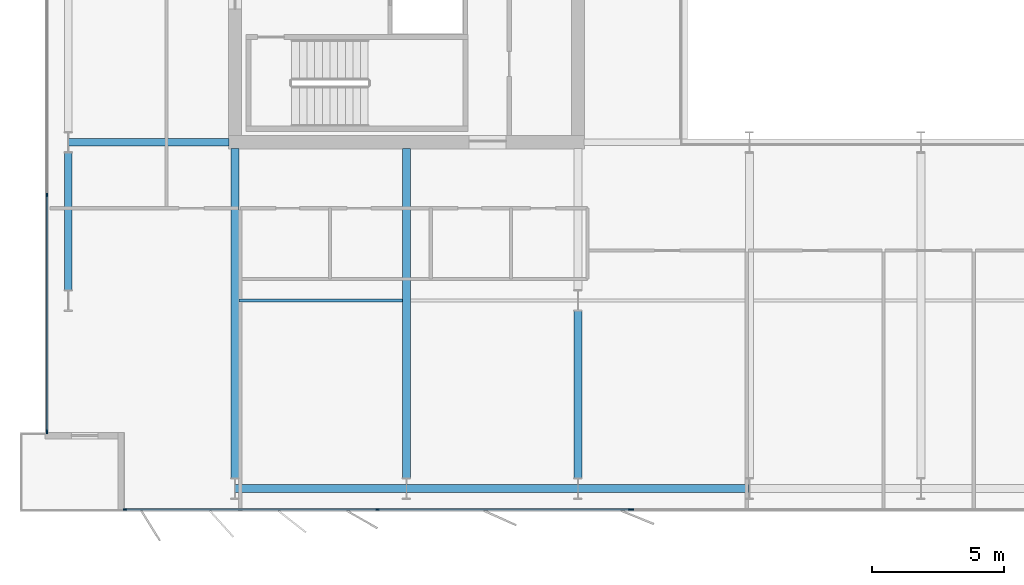
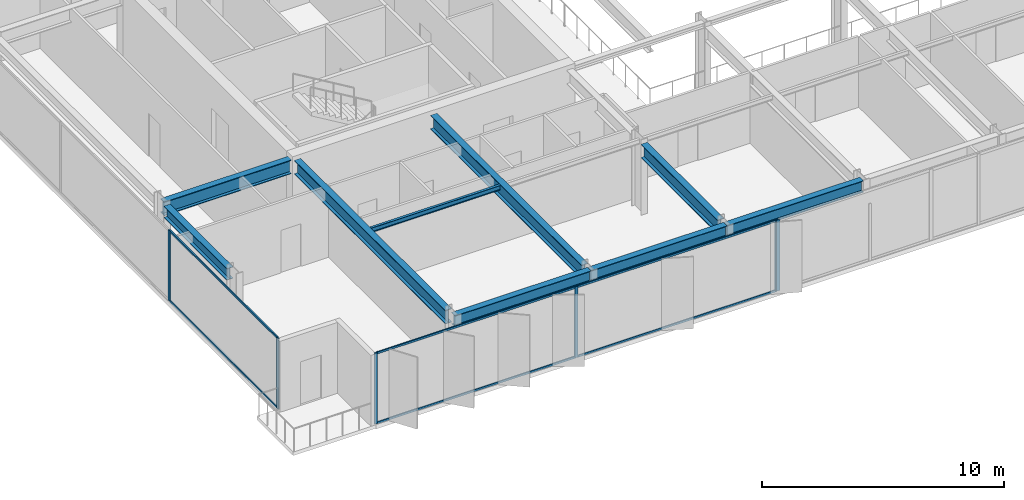
# One storey, part 3 of 24: 12 members, 9 beams, 3 elements without a shape of their own.
"""IFC4 building model written with IfcOpenShell, lengths in metres."""

from ifc_helpers import new_model, si_unit, direction, frame, origin, origin_2d, place, context, subcontext, project, spatial, rectangle, i_section, extrude, material, layer, layer_set, material_profile, profile_set, type_object, element, aggregate, save


model = new_model("IFC4")

# Units and contexts
model_context = context("Model", 3, precision=1e-05, world=origin(), true_north=direction((0.0, 1.0)))
body_context = subcontext(model_context, "Body", "Model", "MODEL_VIEW")
ifc_project = project(units=[si_unit("LENGTHUNIT", "METRE"), si_unit("AREAUNIT", "SQUARE_METRE"), si_unit("VOLUMEUNIT", "CUBIC_METRE"), si_unit("PLANEANGLEUNIT", "RADIAN"), si_unit("MASSUNIT", "GRAM", prefix="KILO")], contexts=[model_context])

# Site, building, storey
site_placement = place(None, origin())
site = spatial("IfcSite", under=ifc_project, at=site_placement, CompositionType="ELEMENT")
building_placement = place(site_placement, origin())
building = spatial("IfcBuilding", under=site, at=building_placement, Name="Putna Gate Headquarters", CompositionType="ELEMENT")
storey_placement = place(building_placement, frame((0.0, 0.0, 236.60009765625)))
storey = spatial("IfcBuildingStorey", under=building, at=storey_placement, Name="L59", CompositionType="ELEMENT", Elevation=236.60009765625)

# Beams
ifc_material_1 = material(Name="Steel S355J2", Category="steel")
ifc_material_profile_1 = material_profile(ifc_material_1, i_section(OverallWidth=0.300048828125, OverallDepth=0.699951171875, WebThickness=0.01708984375, FlangeThickness=0.031982421875, at=origin_2d()), Name="Steel S355J2")
ifc_profile_set_1 = profile_set([ifc_material_profile_1], Name="Steel S355J2")
beam_type_1 = type_object("IfcBeamType", Name="BM-GIRD-B-HEB700", PredefinedType="USERDEFINED", material=ifc_profile_set_1)
beam_1_placement = place(storey_placement, frame((6.68603515625, 19.0, 3.22998046875), z_axis=(1.0, 0.0, 0.0), x_axis=(0.0, 1.0, 0.0)))
element("IfcBeam", 1, at=beam_1_placement, inside=storey, type_object=beam_type_1, Name="L59 West Wing Girder Y19", ObjectType="GIRDER", PredefinedType="USERDEFINED", context=body_context, shape_type="SweptSolid", body=[
    extrude(i_section(OverallWidth=0.300048828125, OverallDepth=0.699951171875, WebThickness=0.01708984375, FlangeThickness=0.031982421875, at=origin_2d()), origin(), (0.0, 0.0, 1.0), 6.078857421875),
])
for number, where, z_axis, x_axis, name in (
    (2, (13.0, 6.27490234375, 3.22998046875), (0.0, 1.0, 0.0), (-1.0, 0.0, 0.0), "L59 South Primary Girder X13"),
    (3, (19.5, 6.27490234375, 3.22998046875), (0.0, 1.0, 0.0), (-1.0, 0.0, 0.0), "L59 South Primary Girder X19"),
):
    element("IfcBeam", number, at=place(storey_placement, frame(where, z_axis=z_axis, x_axis=x_axis)), inside=storey, type_object=beam_type_1, Name=name, ObjectType="GIRDER", PredefinedType="USERDEFINED", context=body_context, shape_type="SweptSolid", body=[
        extrude(i_section(OverallWidth=0.300048828125, OverallDepth=0.699951171875, WebThickness=0.01708984375, FlangeThickness=0.031982421875, at=origin_2d()), origin(), (0.0, 0.0, 1.0), 12.489990234375),
    ])
beam_2_placement = place(storey_placement, frame((26.0, 6.27490234375, 3.22998046875), z_axis=(0.0, 1.0, 0.0), x_axis=(-1.0, 0.0, 0.0)))
element("IfcBeam", 4, at=beam_2_placement, inside=storey, type_object=beam_type_1, Name="L59 South Primary Girder X26-1", ObjectType="GIRDER", PredefinedType="USERDEFINED", context=body_context, shape_type="SweptSolid", body=[
    extrude(i_section(OverallWidth=0.300048828125, OverallDepth=0.699951171875, WebThickness=0.01708984375, FlangeThickness=0.031982421875, at=origin_2d()), origin(), (0.0, 0.0, 1.0), 6.330078125),
])
ifc_material_profile_2 = material_profile(ifc_material_1, i_section(OverallWidth=0.1201171875, OverallDepth=0.239990234375, WebThickness=0.006103515625, FlangeThickness=0.009765625, at=origin_2d()), Name="Steel S355J2")
ifc_profile_set_2 = profile_set([ifc_material_profile_2], Name="Steel S355J2")
beam_type_2 = type_object("IfcBeamType", Name="BM-SEC-Z4-IPE240", PredefinedType="JOIST", material=ifc_profile_set_2)
beam_3_placement = place(storey_placement, frame((13.154052734375, 13.0, 3.4599609375), z_axis=(1.0, 0.0, 0.0), x_axis=(0.0, 1.0, 0.0)))
element("IfcBeam", 5, at=beam_3_placement, inside=storey, type_object=beam_type_2, Name="L59 South Secondary Beam 1", PredefinedType="JOIST", context=body_context, shape_type="SweptSolid", body=[
    extrude(i_section(OverallWidth=0.1201171875, OverallDepth=0.239990234375, WebThickness=0.006103515625, FlangeThickness=0.009765625, at=origin_2d()), origin(), (0.0, 0.0, 1.0), 6.19189453125),
])
ifc_material_profile_3 = material_profile(ifc_material_1, i_section(OverallWidth=0.300048828125, OverallDepth=0.590087890625, WebThickness=0.012939453125, FlangeThickness=0.02490234375, at=origin_2d()), Name="Steel S355J2")
ifc_profile_set_3 = profile_set([ifc_material_profile_3], Name="Steel S355J2")
beam_type_3 = type_object("IfcBeamType", Name="BM-SPAN-Z4-HEA600", PredefinedType="SPANDREL", material=ifc_profile_set_3)
for number, where, z_axis, x_axis, name in (
    (6, (13.006103515625, 5.8798828125, 3.284912109375), (1.0, 0.0, 0.0), (0.0, 1.0, 0.0), "L59 S Perimeter Spandrel 1"),
    (7, (19.506103515625, 5.8798828125, 3.284912109375), (1.0, 0.0, 0.0), (0.0, 1.0, 0.0), "L59 S Perimeter Spandrel 2"),
    (8, (26.006103515625, 5.8798828125, 3.284912109375), (1.0, 0.0, 0.0), (0.0, 1.0, 0.0), "L59 S Perimeter Spandrel 3"),
):
    element("IfcBeam", number, at=place(storey_placement, frame(where, z_axis=z_axis, x_axis=x_axis)), inside=storey, type_object=beam_type_3, Name=name, PredefinedType="SPANDREL", context=body_context, shape_type="SweptSolid", body=[
        extrude(i_section(OverallWidth=0.300048828125, OverallDepth=0.590087890625, WebThickness=0.012939453125, FlangeThickness=0.02490234375, at=origin_2d()), origin(), (0.0, 0.0, 1.0), 6.48779296875),
    ])
beam_4_placement = place(storey_placement, frame((6.679931640625, 13.39501953125, 3.284912109375), z_axis=(0.0, 1.0, 0.0), x_axis=(-1.0, 0.0, 0.0)))
element("IfcBeam", 9, at=beam_4_placement, inside=storey, type_object=beam_type_3, Name="L59 W End Spandrel 1", PredefinedType="SPANDREL", context=body_context, shape_type="SweptSolid", body=[
    extrude(i_section(OverallWidth=0.300048828125, OverallDepth=0.590087890625, WebThickness=0.012939453125, FlangeThickness=0.02490234375, at=origin_2d()), origin(), (0.0, 0.0, 1.0), 5.2099609375),
])

# Curtain wall, members
ifc_material_2 = material(Name="Anodised bronze aluminium curtain wall", Category="aluminium")
ifc_layer_1 = layer(ifc_material_2, 0.139892578125)
ifc_layer_set_1 = layer_set([ifc_layer_1], Name="Anodised bronze aluminium curtain wall")
curtain_wall_type_1 = type_object("IfcCurtainWallType", Name="CW-SYS-Z4", PredefinedType="USERDEFINED", material=ifc_layer_set_1)
curtain_wall_1_placement = place(storey_placement, origin())
curtain_wall_1 = element("IfcCurtainWall", 10, at=curtain_wall_1_placement, inside=storey, type_object=curtain_wall_type_1, Name="L59 South West Curtain Wall", ObjectType="STICK CURTAIN WALL", PredefinedType="USERDEFINED")
ifc_material_3 = material(Name="Anodised bronze aluminium EN AW-6060", Category="aluminium")
ifc_material_profile_4 = material_profile(ifc_material_3, rectangle(XDim=0.06005859375, YDim=0.139892578125, at=origin_2d()), Name="Anodised bronze aluminium EN AW-6060")
ifc_profile_set_4 = profile_set([ifc_material_profile_4], Name="Anodised bronze aluminium EN AW-6060")
member_type_1 = type_object("IfcMemberType", Name="MULL-CWM-4", PredefinedType="MULLION", material=ifc_profile_set_4)
member_1_placement = place(storey_placement, frame((8.830078125, 5.080078125, 0.0), z_axis=(0.0, 0.0, 1.0), x_axis=(0.0, 1.0, 0.0)))
member_1 = element("IfcMember", 11, at=member_1_placement, type_object=member_type_1, Name="CWS-4 mullion 1", PredefinedType="MULLION", context=body_context, shape_type="SweptSolid", body=[
    extrude(rectangle(XDim=0.06005859375, YDim=0.139892578125, at=origin_2d()), origin(), (0.0, 0.0, 1.0), 3.579833984375),
])
member_2_placement = place(storey_placement, frame((18.39990234375, 5.080078125, 0.0), z_axis=(0.0, 0.0, 1.0), x_axis=(0.0, 1.0, 0.0)))
member_2 = element("IfcMember", 12, at=member_2_placement, type_object=member_type_1, Name="CWS-4 mullion 2", PredefinedType="MULLION", context=body_context, shape_type="SweptSolid", body=[
    extrude(rectangle(XDim=0.06005859375, YDim=0.139892578125, at=origin_2d()), origin(), (0.0, 0.0, 1.0), 3.579833984375),
])
member_3_placement = place(storey_placement, frame((27.969970703125, 5.080078125, 0.0), z_axis=(0.0, 0.0, 1.0), x_axis=(0.0, 1.0, 0.0)))
member_3 = element("IfcMember", 13, at=member_3_placement, type_object=member_type_1, Name="CWS-4 mullion 3", PredefinedType="MULLION", context=body_context, shape_type="SweptSolid", body=[
    extrude(rectangle(XDim=0.06005859375, YDim=0.139892578125, at=origin_2d()), origin(), (0.0, 0.0, 1.0), 3.579833984375),
])

curtain_wall_2_placement = place(storey_placement, origin())
curtain_wall_2 = element("IfcCurtainWall", 14, at=curtain_wall_2_placement, inside=storey, type_object=curtain_wall_type_1, Name="L59 West Curtain Wall", ObjectType="STICK CURTAIN WALL", PredefinedType="USERDEFINED")
member_4_placement = place(storey_placement, frame((5.8798828125, 8.030029296875, 0.0), z_axis=(0.0, 0.0, 1.0), x_axis=(-1.0, 0.0, 0.0)))
member_4 = element("IfcMember", 15, at=member_4_placement, type_object=member_type_1, Name="CWS-4 mullion 1", PredefinedType="MULLION", context=body_context, shape_type="SweptSolid", body=[
    extrude(rectangle(XDim=0.06005859375, YDim=0.139892578125, at=origin_2d()), origin(), (0.0, 0.0, 1.0), 3.579833984375),
])
member_5_placement = place(storey_placement, frame((5.8798828125, 17.0, 0.0), z_axis=(0.0, 0.0, 1.0), x_axis=(-1.0, 0.0, 0.0)))
member_5 = element("IfcMember", 16, at=member_5_placement, type_object=member_type_1, Name="CWS-4 mullion 2", PredefinedType="MULLION", context=body_context, shape_type="SweptSolid", body=[
    extrude(rectangle(XDim=0.06005859375, YDim=0.139892578125, at=origin_2d()), origin(), (0.0, 0.0, 1.0), 3.579833984375),
])

# Curtain wall, member
ifc_layer_2 = layer(ifc_material_2, 0.179931640625)
ifc_layer_set_2 = layer_set([ifc_layer_2], Name="Anodised bronze aluminium curtain wall")
curtain_wall_type_2 = type_object("IfcCurtainWallType", Name="CW-SYS-ATR", PredefinedType="USERDEFINED", material=ifc_layer_set_2)
curtain_wall_3_placement = place(storey_placement, origin())
curtain_wall_3 = element("IfcCurtainWall", 17, at=curtain_wall_3_placement, inside=storey, type_object=curtain_wall_type_2, Name="L59 South Atrium Clear Glazing", ObjectType="ATRIUM GLAZING", PredefinedType="USERDEFINED")
ifc_material_profile_5 = material_profile(ifc_material_3, rectangle(XDim=0.070068359375, YDim=0.179931640625, at=origin_2d()), Name="Anodised bronze aluminium EN AW-6060")
ifc_profile_set_5 = profile_set([ifc_material_profile_5], Name="Anodised bronze aluminium EN AW-6060")
member_type_2 = type_object("IfcMemberType", Name="MULL-CWM-AT", PredefinedType="MULLION", material=ifc_profile_set_5)
member_6_placement = place(storey_placement, frame((28.034912109375, 5.080078125, 0.0), z_axis=(0.0, 0.0, 1.0), x_axis=(0.0, 1.0, 0.0)))
member_6 = element("IfcMember", 18, at=member_6_placement, type_object=member_type_2, Name="CWS-AT mullion 1", PredefinedType="MULLION", context=body_context, shape_type="SweptSolid", body=[
    extrude(rectangle(XDim=0.070068359375, YDim=0.179931640625, at=origin_2d()), origin(), (0.0, 0.0, 1.0), 3.579833984375),
])
aggregate(curtain_wall_3, [member_6])

# Member
ifc_material_profile_6 = material_profile(ifc_material_3, rectangle(XDim=0.06005859375, YDim=0.10009765625, at=origin_2d()), Name="Anodised bronze aluminium EN AW-6060")
ifc_profile_set_6 = profile_set([ifc_material_profile_6], Name="Anodised bronze aluminium EN AW-6060")
member_type_3 = type_object("IfcMemberType", Name="TRAN-CWT-4", PredefinedType="USERDEFINED", material=ifc_profile_set_6)
member_7_placement = place(storey_placement, frame((8.860107421875, 5.080078125, 0.02978515625), z_axis=(1.0, 0.0, 0.0), x_axis=(0.0, 1.0, 0.0)))
member_7 = element("IfcMember", 19, at=member_7_placement, type_object=member_type_3, Name="CWS-4 transom 1.1", ObjectType="TRANSOM", PredefinedType="USERDEFINED", context=body_context, shape_type="SweptSolid", body=[
    extrude(rectangle(XDim=0.06005859375, YDim=0.10009765625, at=origin_2d()), origin(), (0.0, 0.0, 1.0), 9.510009765625),
])

member_8_placement = place(storey_placement, frame((8.860107421875, 5.080078125, 3.5498046875), z_axis=(1.0, 0.0, 0.0), x_axis=(0.0, 1.0, 0.0)))
member_8 = element("IfcMember", 20, at=member_8_placement, type_object=member_type_3, Name="CWS-4 transom 1.2", ObjectType="TRANSOM", PredefinedType="USERDEFINED", context=body_context, shape_type="SweptSolid", body=[
    extrude(rectangle(XDim=0.06005859375, YDim=0.10009765625, at=origin_2d()), origin(), (0.0, 0.0, 1.0), 9.510009765625),
])

member_9_placement = place(storey_placement, frame((18.429931640625, 5.080078125, 0.02978515625), z_axis=(1.0, 0.0, 0.0), x_axis=(0.0, 1.0, 0.0)))
member_9 = element("IfcMember", 21, at=member_9_placement, type_object=member_type_3, Name="CWS-4 transom 2.1", ObjectType="TRANSOM", PredefinedType="USERDEFINED", context=body_context, shape_type="SweptSolid", body=[
    extrude(rectangle(XDim=0.06005859375, YDim=0.10009765625, at=origin_2d()), origin(), (0.0, 0.0, 1.0), 9.510009765625),
])

member_10_placement = place(storey_placement, frame((18.429931640625, 5.080078125, 3.5498046875), z_axis=(1.0, 0.0, 0.0), x_axis=(0.0, 1.0, 0.0)))
member_10 = element("IfcMember", 22, at=member_10_placement, type_object=member_type_3, Name="CWS-4 transom 2.2", ObjectType="TRANSOM", PredefinedType="USERDEFINED", context=body_context, shape_type="SweptSolid", body=[
    extrude(rectangle(XDim=0.06005859375, YDim=0.10009765625, at=origin_2d()), origin(), (0.0, 0.0, 1.0), 9.510009765625),
])

aggregate(curtain_wall_1, [member_1, member_2, member_3, member_7, member_8, member_9, member_10])

member_11_placement = place(storey_placement, frame((5.8798828125, 8.06005859375, 0.02978515625), z_axis=(0.0, 1.0, 0.0), x_axis=(-1.0, 0.0, 0.0)))
member_11 = element("IfcMember", 23, at=member_11_placement, type_object=member_type_3, Name="CWS-4 transom 1.1", ObjectType="TRANSOM", PredefinedType="USERDEFINED", context=body_context, shape_type="SweptSolid", body=[
    extrude(rectangle(XDim=0.06005859375, YDim=0.10009765625, at=origin_2d()), origin(), (0.0, 0.0, 1.0), 8.909912109375),
])

member_12_placement = place(storey_placement, frame((5.8798828125, 8.06005859375, 3.5498046875), z_axis=(0.0, 1.0, 0.0), x_axis=(-1.0, 0.0, 0.0)))
member_12 = element("IfcMember", 24, at=member_12_placement, type_object=member_type_3, Name="CWS-4 transom 1.2", ObjectType="TRANSOM", PredefinedType="USERDEFINED", context=body_context, shape_type="SweptSolid", body=[
    extrude(rectangle(XDim=0.06005859375, YDim=0.10009765625, at=origin_2d()), origin(), (0.0, 0.0, 1.0), 8.909912109375),
])

aggregate(curtain_wall_2, [member_4, member_5, member_11, member_12])

save(model, "model.ifc")
